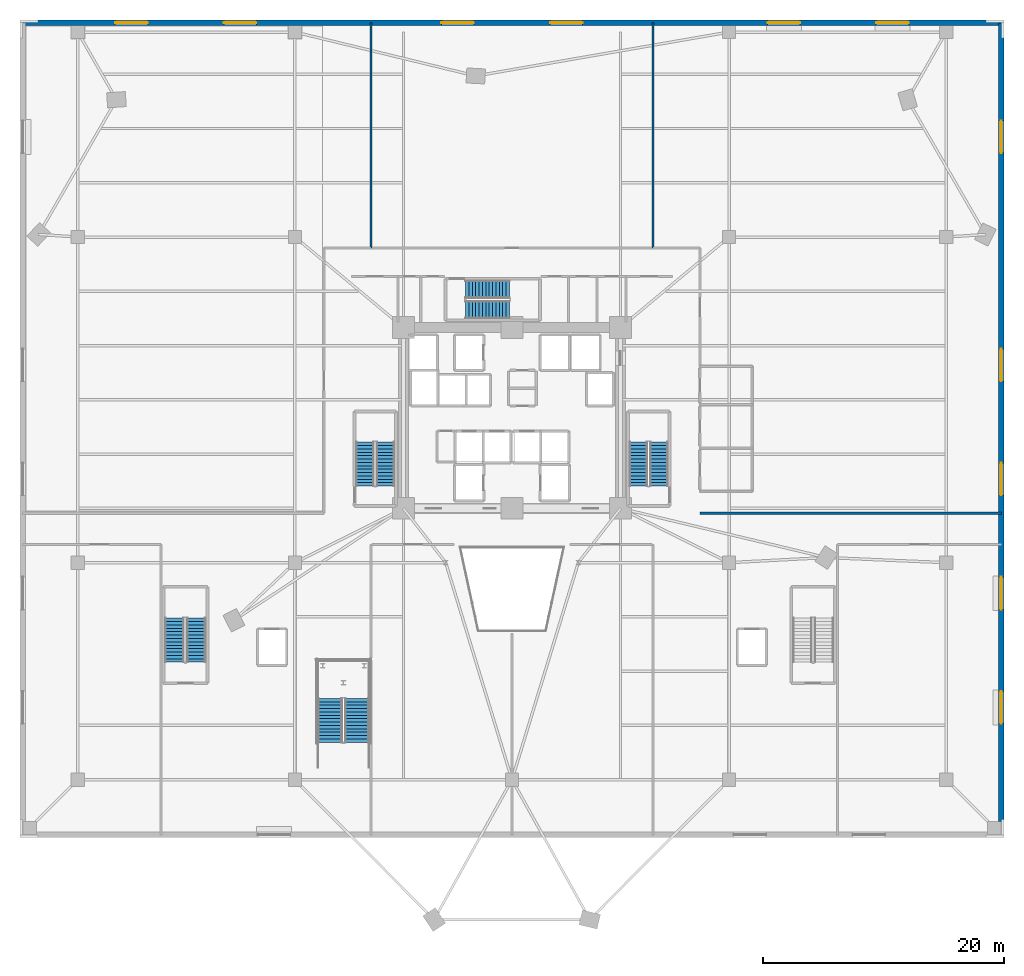
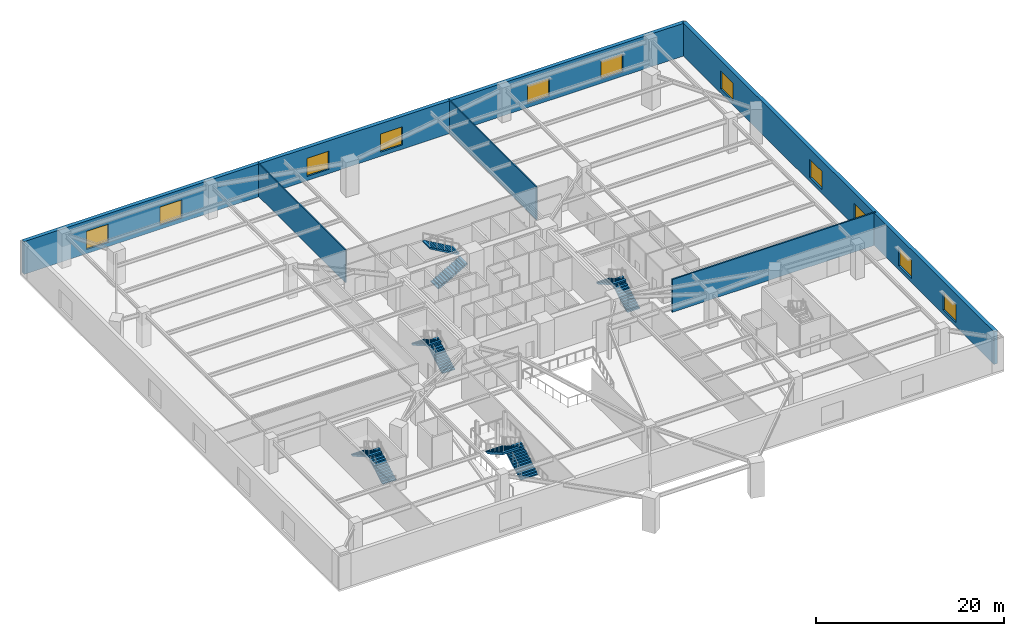
# One storey, part 9 of 16: 11 windows, 10 stair flights, 5 walls, 11 openings, 5 elements without a shape of their own.
"""IFC4 building model written with IfcOpenShell, lengths in metres."""

from ifc_helpers import new_model, si_unit, direction, frame, frame_2d, origin, place, context, subcontext, project, spatial, polyline, rectangle, outline, extrude, source, transform, mapped, material, layer, layer_set, type_object, element, fill, aggregate, save


model = new_model("IFC4")

# Units and contexts
model_context = context("Model", 3, precision=1e-05, world=origin(), true_north=direction((0.0, 1.0)))
body_context = subcontext(model_context, "Body", "Model", "MODEL_VIEW")
ifc_project = project(units=[si_unit("LENGTHUNIT", "METRE"), si_unit("AREAUNIT", "SQUARE_METRE"), si_unit("VOLUMEUNIT", "CUBIC_METRE"), si_unit("PLANEANGLEUNIT", "RADIAN"), si_unit("MASSUNIT", "GRAM", prefix="KILO")], contexts=[model_context])

# Site, building, storey
site_placement = place(None, origin())
site = spatial("IfcSite", under=ifc_project, at=site_placement, CompositionType="ELEMENT")
building_placement = place(site_placement, origin())
building = spatial("IfcBuilding", under=site, at=building_placement, Name="Liaohun Quay Tower", CompositionType="ELEMENT")
storey_placement = place(building_placement, frame((0.0, 0.0, 14.39990234375)))
storey = spatial("IfcBuildingStorey", under=building, at=storey_placement, Name="L04", CompositionType="ELEMENT", Elevation=14.39990234375)

# Wall, openings, windows
ifc_material_1 = material(Name="Precast concrete C50 with granite facing", Category="masonry")
ifc_layer_1 = layer(ifc_material_1, 0.4599609375, Name="Precast concrete C50 with granite facing", Category="masonry")
ifc_layer_set_1 = layer_set([ifc_layer_1], Name="Precast concrete C50 with granite facing")
wall_type_1 = type_object("IfcWallType", Name="WAL-EXT-POD", PredefinedType="SOLIDWALL", material=ifc_layer_set_1)
wall_1_placement = place(storey_placement, frame((100.570068359375, 20.5400390625, 0.0), z_axis=(0.0, 0.0, 1.0), x_axis=(0.0, 1.0, 0.0)))
wall_1 = element("IfcWall", 1, at=wall_1_placement, inside=storey, type_object=wall_type_1, Name="L04 Podium Precast Facade Wall 01", PredefinedType="SOLIDWALL", context=body_context, shape_type="SweptSolid", body=[
    extrude(rectangle(XDim=66.22998046875, YDim=0.4599609375, at=frame_2d((33.114990234375, 0.0))), origin(), (0.0, 0.0, 1.0), 4.25),
])
shared_shape_1 = source(origin(), body_context, "Body", "SweptSolid", [
    extrude(rectangle(XDim=2.699951171875, YDim=2.35009765625, at=frame_2d((1.35009765625, 1.175048828125))), frame((0.0, 0.239990234375, 0.0), z_axis=(0.0, -1.0, 0.0), x_axis=(1.0, 0.0, 0.0)), (0.0, 0.0, 1.0), 0.47998046875),
])
opening_1_placement = place(wall_1_placement, frame((8.111083984375, 0.0, 0.550048828125)))
opening_1 = element("IfcOpeningElement", 2, at=opening_1_placement, cuts=wall_1, Name="Opening W06", PredefinedType="OPENING", context=body_context, shape_type="MappedRepresentation", body=[
    mapped(shared_shape_1, transform((0.0, 0.0, 0.0), x_axis=(1.0, 0.0, 0.0), y_axis=(0.0, 1.0, 0.0), z_axis=(0.0, 0.0, 1.0), scale=1.0)),
])
opening_2_placement = place(wall_1_placement, frame((17.572998046875, 0.0, 0.550048828125)))
opening_2 = element("IfcOpeningElement", 3, at=opening_2_placement, cuts=wall_1, Name="Opening W06", PredefinedType="OPENING", context=body_context, shape_type="MappedRepresentation", body=[
    mapped(shared_shape_1, transform((0.0, 0.0, 0.0), x_axis=(1.0, 0.0, 0.0), y_axis=(0.0, 1.0, 0.0), z_axis=(0.0, 0.0, 1.0), scale=1.0)),
])
opening_3_placement = place(wall_1_placement, frame((27.033935546875, 0.0, 0.550048828125)))
opening_3 = element("IfcOpeningElement", 4, at=opening_3_placement, cuts=wall_1, Name="Opening W06", PredefinedType="OPENING", context=body_context, shape_type="MappedRepresentation", body=[
    mapped(shared_shape_1, transform((0.0, 0.0, 0.0), x_axis=(1.0, 0.0, 0.0), y_axis=(0.0, 1.0, 0.0), z_axis=(0.0, 0.0, 1.0), scale=1.0)),
])
opening_4_placement = place(wall_1_placement, frame((36.49609375, 0.0, 0.550048828125)))
opening_4 = element("IfcOpeningElement", 5, at=opening_4_placement, cuts=wall_1, Name="Opening W06", PredefinedType="OPENING", context=body_context, shape_type="MappedRepresentation", body=[
    mapped(shared_shape_1, transform((0.0, 0.0, 0.0), x_axis=(1.0, 0.0, 0.0), y_axis=(0.0, 1.0, 0.0), z_axis=(0.0, 0.0, 1.0), scale=1.0)),
])
opening_5_placement = place(wall_1_placement, frame((55.4189453125, 0.0, 0.550048828125)))
opening_5 = element("IfcOpeningElement", 6, at=opening_5_placement, cuts=wall_1, Name="Opening W06", PredefinedType="OPENING", context=body_context, shape_type="MappedRepresentation", body=[
    mapped(shared_shape_1, transform((0.0, 0.0, 0.0), x_axis=(1.0, 0.0, 0.0), y_axis=(0.0, 1.0, 0.0), z_axis=(0.0, 0.0, 1.0), scale=1.0)),
])
ifc_material_2 = material(Name="Triple Low-E waterfront podium glazing", Category="glass")
window_type = type_object("IfcWindowType", Name="WIN-POD-ARC", PartitioningType="TRIPLE_PANEL_VERTICAL", PredefinedType="WINDOW", material=ifc_material_2)
shared_shape_2 = source(origin(), body_context, "Body", "SweptSolid", [
    extrude(rectangle(XDim=2.699951171875, YDim=2.35009765625, at=frame_2d((1.35009765625, 1.175048828125))), frame((0.0, 0.030029296875, 0.0), z_axis=(0.0, -1.0, 0.0), x_axis=(1.0, 0.0, 0.0)), (0.0, 0.0, 1.0), 0.06005859375),
])
window_1_placement = place(opening_1_placement, origin())
window_1 = element("IfcWindow", 7, at=window_1_placement, inside=storey, type_object=window_type, Name="L04 Podium Punched Window W06-01-01", OverallHeight=2.35009765625, OverallWidth=2.699951171875, PartitioningType="TRIPLE_PANEL_VERTICAL", PredefinedType="WINDOW", context=body_context, shape_type="MappedRepresentation", body=[
    mapped(shared_shape_2, transform((0.0, 0.0, 0.0), x_axis=(1.0, 0.0, 0.0), y_axis=(0.0, 1.0, 0.0), z_axis=(0.0, 0.0, 1.0), scale=1.0)),
])
fill(opening_1, window_1)
window_2_placement = place(opening_2_placement, origin())
window_2 = element("IfcWindow", 8, at=window_2_placement, inside=storey, type_object=window_type, Name="L04 Podium Punched Window W06-01-02", OverallHeight=2.35009765625, OverallWidth=2.699951171875, PartitioningType="TRIPLE_PANEL_VERTICAL", PredefinedType="WINDOW", context=body_context, shape_type="MappedRepresentation", body=[
    mapped(shared_shape_2, transform((0.0, 0.0, 0.0), x_axis=(1.0, 0.0, 0.0), y_axis=(0.0, 1.0, 0.0), z_axis=(0.0, 0.0, 1.0), scale=1.0)),
])
fill(opening_2, window_2)
window_3_placement = place(opening_3_placement, origin())
window_3 = element("IfcWindow", 9, at=window_3_placement, inside=storey, type_object=window_type, Name="L04 Podium Punched Window W06-01-03", OverallHeight=2.35009765625, OverallWidth=2.699951171875, PartitioningType="TRIPLE_PANEL_VERTICAL", PredefinedType="WINDOW", context=body_context, shape_type="MappedRepresentation", body=[
    mapped(shared_shape_2, transform((0.0, 0.0, 0.0), x_axis=(1.0, 0.0, 0.0), y_axis=(0.0, 1.0, 0.0), z_axis=(0.0, 0.0, 1.0), scale=1.0)),
])
fill(opening_3, window_3)
window_4_placement = place(opening_4_placement, origin())
window_4 = element("IfcWindow", 10, at=window_4_placement, inside=storey, type_object=window_type, Name="L04 Podium Punched Window W06-01-04", OverallHeight=2.35009765625, OverallWidth=2.699951171875, PartitioningType="TRIPLE_PANEL_VERTICAL", PredefinedType="WINDOW", context=body_context, shape_type="MappedRepresentation", body=[
    mapped(shared_shape_2, transform((0.0, 0.0, 0.0), x_axis=(1.0, 0.0, 0.0), y_axis=(0.0, 1.0, 0.0), z_axis=(0.0, 0.0, 1.0), scale=1.0)),
])
fill(opening_4, window_4)
window_5_placement = place(opening_5_placement, origin())
window_5 = element("IfcWindow", 11, at=window_5_placement, inside=storey, type_object=window_type, Name="L04 Podium Punched Window W06-01-06", OverallHeight=2.35009765625, OverallWidth=2.699951171875, PartitioningType="TRIPLE_PANEL_VERTICAL", PredefinedType="WINDOW", context=body_context, shape_type="MappedRepresentation", body=[
    mapped(shared_shape_2, transform((0.0, 0.0, 0.0), x_axis=(1.0, 0.0, 0.0), y_axis=(0.0, 1.0, 0.0), z_axis=(0.0, 0.0, 1.0), scale=1.0)),
])
fill(opening_5, window_5)

wall_2_placement = place(storey_placement, frame((100.570068359375, 86.77001953125, 0.0), z_axis=(0.0, 0.0, 1.0), x_axis=(-1.0, 0.0, 0.0)))
wall_2 = element("IfcWall", 12, at=wall_2_placement, inside=storey, type_object=wall_type_1, Name="L04 Podium Precast Facade Wall 02", PredefinedType="SOLIDWALL", context=body_context, shape_type="SweptSolid", body=[
    extrude(rectangle(XDim=81.14013671875, YDim=0.4599609375, at=frame_2d((40.570068359375, 0.0))), origin(), (0.0, 0.0, 1.0), 4.25),
])
opening_6_placement = place(wall_2_placement, frame((7.666015625, 0.0, 0.550048828125)))
opening_6 = element("IfcOpeningElement", 13, at=opening_6_placement, cuts=wall_2, Name="Opening W06", PredefinedType="OPENING", context=body_context, shape_type="MappedRepresentation", body=[
    mapped(shared_shape_1, transform((0.0, 0.0, 0.0), x_axis=(1.0, 0.0, 0.0), y_axis=(0.0, 1.0, 0.0), z_axis=(0.0, 0.0, 1.0), scale=1.0)),
])
opening_7_placement = place(wall_2_placement, frame((16.680908203125, 0.0, 0.550048828125)))
opening_7 = element("IfcOpeningElement", 14, at=opening_7_placement, cuts=wall_2, Name="Opening W06", PredefinedType="OPENING", context=body_context, shape_type="MappedRepresentation", body=[
    mapped(shared_shape_1, transform((0.0, 0.0, 0.0), x_axis=(1.0, 0.0, 0.0), y_axis=(0.0, 1.0, 0.0), z_axis=(0.0, 0.0, 1.0), scale=1.0)),
])
opening_8_placement = place(wall_2_placement, frame((34.7119140625, 0.0, 0.550048828125)))
opening_8 = element("IfcOpeningElement", 15, at=opening_8_placement, cuts=wall_2, Name="Opening W06", PredefinedType="OPENING", context=body_context, shape_type="MappedRepresentation", body=[
    mapped(shared_shape_1, transform((0.0, 0.0, 0.0), x_axis=(1.0, 0.0, 0.0), y_axis=(0.0, 1.0, 0.0), z_axis=(0.0, 0.0, 1.0), scale=1.0)),
])
opening_9_placement = place(wall_2_placement, frame((43.72802734375, 0.0, 0.550048828125)))
opening_9 = element("IfcOpeningElement", 16, at=opening_9_placement, cuts=wall_2, Name="Opening W06", PredefinedType="OPENING", context=body_context, shape_type="MappedRepresentation", body=[
    mapped(shared_shape_1, transform((0.0, 0.0, 0.0), x_axis=(1.0, 0.0, 0.0), y_axis=(0.0, 1.0, 0.0), z_axis=(0.0, 0.0, 1.0), scale=1.0)),
])
opening_10_placement = place(wall_2_placement, frame((61.759033203125, 0.0, 0.550048828125)))
opening_10 = element("IfcOpeningElement", 17, at=opening_10_placement, cuts=wall_2, Name="Opening W06", PredefinedType="OPENING", context=body_context, shape_type="MappedRepresentation", body=[
    mapped(shared_shape_1, transform((0.0, 0.0, 0.0), x_axis=(1.0, 0.0, 0.0), y_axis=(0.0, 1.0, 0.0), z_axis=(0.0, 0.0, 1.0), scale=1.0)),
])
opening_11_placement = place(wall_2_placement, frame((70.77392578125, 0.0, 0.550048828125)))
opening_11 = element("IfcOpeningElement", 18, at=opening_11_placement, cuts=wall_2, Name="Opening W06", PredefinedType="OPENING", context=body_context, shape_type="MappedRepresentation", body=[
    mapped(shared_shape_1, transform((0.0, 0.0, 0.0), x_axis=(1.0, 0.0, 0.0), y_axis=(0.0, 1.0, 0.0), z_axis=(0.0, 0.0, 1.0), scale=1.0)),
])
window_6_placement = place(opening_6_placement, origin())
window_6 = element("IfcWindow", 19, at=window_6_placement, inside=storey, type_object=window_type, Name="L04 Podium Punched Window W06-02-01", OverallHeight=2.35009765625, OverallWidth=2.699951171875, PartitioningType="TRIPLE_PANEL_VERTICAL", PredefinedType="WINDOW", context=body_context, shape_type="MappedRepresentation", body=[
    mapped(shared_shape_2, transform((0.0, 0.0, 0.0), x_axis=(1.0, 0.0, 0.0), y_axis=(0.0, 1.0, 0.0), z_axis=(0.0, 0.0, 1.0), scale=1.0)),
])
fill(opening_6, window_6)
window_7_placement = place(opening_7_placement, origin())
window_7 = element("IfcWindow", 20, at=window_7_placement, inside=storey, type_object=window_type, Name="L04 Podium Punched Window W06-02-02", OverallHeight=2.35009765625, OverallWidth=2.699951171875, PartitioningType="TRIPLE_PANEL_VERTICAL", PredefinedType="WINDOW", context=body_context, shape_type="MappedRepresentation", body=[
    mapped(shared_shape_2, transform((0.0, 0.0, 0.0), x_axis=(1.0, 0.0, 0.0), y_axis=(0.0, 1.0, 0.0), z_axis=(0.0, 0.0, 1.0), scale=1.0)),
])
fill(opening_7, window_7)
window_8_placement = place(opening_8_placement, origin())
window_8 = element("IfcWindow", 21, at=window_8_placement, inside=storey, type_object=window_type, Name="L04 Podium Punched Window W06-02-04", OverallHeight=2.35009765625, OverallWidth=2.699951171875, PartitioningType="TRIPLE_PANEL_VERTICAL", PredefinedType="WINDOW", context=body_context, shape_type="MappedRepresentation", body=[
    mapped(shared_shape_2, transform((0.0, 0.0, 0.0), x_axis=(1.0, 0.0, 0.0), y_axis=(0.0, 1.0, 0.0), z_axis=(0.0, 0.0, 1.0), scale=1.0)),
])
fill(opening_8, window_8)
window_9_placement = place(opening_9_placement, origin())
window_9 = element("IfcWindow", 22, at=window_9_placement, inside=storey, type_object=window_type, Name="L04 Podium Punched Window W06-02-05", OverallHeight=2.35009765625, OverallWidth=2.699951171875, PartitioningType="TRIPLE_PANEL_VERTICAL", PredefinedType="WINDOW", context=body_context, shape_type="MappedRepresentation", body=[
    mapped(shared_shape_2, transform((0.0, 0.0, 0.0), x_axis=(1.0, 0.0, 0.0), y_axis=(0.0, 1.0, 0.0), z_axis=(0.0, 0.0, 1.0), scale=1.0)),
])
fill(opening_9, window_9)
window_10_placement = place(opening_10_placement, origin())
window_10 = element("IfcWindow", 23, at=window_10_placement, inside=storey, type_object=window_type, Name="L04 Podium Punched Window W06-02-07", OverallHeight=2.35009765625, OverallWidth=2.699951171875, PartitioningType="TRIPLE_PANEL_VERTICAL", PredefinedType="WINDOW", context=body_context, shape_type="MappedRepresentation", body=[
    mapped(shared_shape_2, transform((0.0, 0.0, 0.0), x_axis=(1.0, 0.0, 0.0), y_axis=(0.0, 1.0, 0.0), z_axis=(0.0, 0.0, 1.0), scale=1.0)),
])
fill(opening_10, window_10)
window_11_placement = place(opening_11_placement, origin())
window_11 = element("IfcWindow", 24, at=window_11_placement, inside=storey, type_object=window_type, Name="L04 Podium Punched Window W06-02-08", OverallHeight=2.35009765625, OverallWidth=2.699951171875, PartitioningType="TRIPLE_PANEL_VERTICAL", PredefinedType="WINDOW", context=body_context, shape_type="MappedRepresentation", body=[
    mapped(shared_shape_2, transform((0.0, 0.0, 0.0), x_axis=(1.0, 0.0, 0.0), y_axis=(0.0, 1.0, 0.0), z_axis=(0.0, 0.0, 1.0), scale=1.0)),
])
fill(opening_11, window_11)

# Walls
ifc_material_3 = material(Name="Autoclaved aerated concrete blockwork", Category="masonry")
ifc_layer_2 = layer(ifc_material_3, 0.179931640625, Name="Autoclaved aerated concrete blockwork", Category="masonry")
ifc_layer_set_2 = layer_set([ifc_layer_2], Name="Autoclaved aerated concrete blockwork")
wall_type_2 = type_object("IfcWallType", Name="WAL-PRT-COR", PredefinedType="PARTITIONING", material=ifc_layer_set_2)
wall_3_placement = place(storey_placement, frame((75.580078125, 46.10009765625, 0.0), z_axis=(0.0, 0.0, 1.0), x_axis=(1.0, 0.0, 0.0)))
element("IfcWall", 25, at=wall_3_placement, inside=storey, type_object=wall_type_2, Name="L04 Interior Partition Wall 032", PredefinedType="PARTITIONING", context=body_context, shape_type="SweptSolid", body=[
    extrude(rectangle(XDim=24.994873046875, YDim=0.179931640625, at=frame_2d((12.49755859375, 0.0))), origin(), (0.0, 0.0, 1.0), 4.25),
])
ifc_material_4 = material(Name="Gypsum board on twin steel studs", Category="steel")
ifc_layer_3 = layer(ifc_material_4, 0.139892578125, Name="Gypsum board on twin steel studs", Category="steel")
ifc_layer_set_3 = layer_set([ifc_layer_3], Name="Gypsum board on twin steel studs")
wall_type_3 = type_object("IfcWallType", Name="WAL-PRT-OFF", PredefinedType="PARTITIONING", material=ifc_layer_set_3)
for number, where, z_axis, x_axis, name in (
    (26, (48.300048828125, 68.10009765625, 0.0), (0.0, 0.0, 1.0), (0.0, 1.0, 0.0), "L04 Interior Partition Wall 040"),
    (27, (71.699951171875, 68.10009765625, 0.0), (0.0, 0.0, 1.0), (0.0, 1.0, 0.0), "L04 Interior Partition Wall 041"),
):
    element("IfcWall", number, at=place(storey_placement, frame(where, z_axis=z_axis, x_axis=x_axis)), inside=storey, type_object=wall_type_3, Name=name, PredefinedType="PARTITIONING", context=body_context, shape_type="SweptSolid", body=[
        extrude(rectangle(XDim=18.6748046875, YDim=0.139892578125, at=frame_2d((9.33740234375, 0.0))), origin(), (0.0, 0.0, 1.0), 4.25),
    ])

# Stair, stair flights
ifc_material_5 = material(Name="Precast concrete C50", Category="concrete")
stair_type_1 = type_object("IfcStairType", Name="STR-MON-ATR", PredefinedType="STRAIGHT_RUN_STAIR", material=ifc_material_5)
stair_1_placement = place(storey_placement, origin())
stair_1 = element("IfcStair", 28, at=stair_1_placement, inside=storey, type_object=stair_type_1, Name="L04 Monumental Atrium Feature Stair ST-A", PredefinedType="STRAIGHT_RUN_STAIR")
stair_flight_type_1 = type_object("IfcStairFlightType", Name="FLT-ATR-210", PredefinedType="STRAIGHT", material=ifc_material_5)
stair_flight_1_placement = place(storey_placement, frame((47.14990234375, 27.10009765625, 0.0), z_axis=(0.0, 0.0, 1.0), x_axis=(0.0, 1.0, 0.0)))
stair_flight_1 = element("IfcStairFlight", 29, at=stair_flight_1_placement, type_object=stair_flight_type_1, Name="ST-A flight 1", NumberOfRisers=14, NumberOfTreads=13, PredefinedType="STRAIGHT", RiserHeight=0.160714286, TreadLength=0.28, context=body_context, shape_type="SweptSolid", body=[
    extrude(outline(polyline([(0.0, 0.0), (0.0, 0.16064453125), (0.280029296875, 0.16064453125), (0.280029296875, 0.321533203125), (0.56005859375, 0.321533203125), (0.56005859375, 0.482177734375), (0.840087890625, 0.482177734375), (0.840087890625, 0.642822265625), (1.1201171875, 0.642822265625), (1.1201171875, 0.803466796875), (1.39990234375, 0.803466796875), (1.39990234375, 0.96435546875), (1.679931640625, 0.96435546875), (1.679931640625, 1.125), (1.9599609375, 1.125), (1.9599609375, 1.28564453125), (2.239990234375, 1.28564453125), (2.239990234375, 1.446533203125), (2.52001953125, 1.446533203125), (2.52001953125, 1.607177734375), (2.800048828125, 1.607177734375), (2.800048828125, 1.767822265625), (3.080078125, 1.767822265625), (3.080078125, 1.928466796875), (3.360107421875, 1.928466796875), (3.360107421875, 2.08935546875), (3.639892578125, 2.08935546875), (3.639892578125, 2.25), (3.639892578125, 1.835693359375), (0.44189453125, 0.0), (0.0, 0.0)])), frame((0.0, 1.050048828125, 0.0), z_axis=(0.0, -1.0, 0.0), x_axis=(1.0, 0.0, 0.0)), (0.0, 0.0, 1.0), 2.10009765625),
])
stair_flight_2_placement = place(storey_placement, frame((44.909912109375, 30.739990234375, 2.25), z_axis=(0.0, 0.0, 1.0), x_axis=(0.0, -1.0, 0.0)))
stair_flight_2 = element("IfcStairFlight", 30, at=stair_flight_2_placement, type_object=stair_flight_type_1, Name="ST-A flight 2", NumberOfRisers=14, NumberOfTreads=13, PredefinedType="STRAIGHT", RiserHeight=0.160714286, TreadLength=0.28, context=body_context, shape_type="SweptSolid", body=[
    extrude(outline(polyline([(0.0, 0.0), (0.0, 0.16064453125), (0.280029296875, 0.16064453125), (0.280029296875, 0.321533203125), (0.56005859375, 0.321533203125), (0.56005859375, 0.482177734375), (0.840087890625, 0.482177734375), (0.840087890625, 0.642822265625), (1.1201171875, 0.642822265625), (1.1201171875, 0.803466796875), (1.39990234375, 0.803466796875), (1.39990234375, 0.96435546875), (1.679931640625, 0.96435546875), (1.679931640625, 1.125), (1.9599609375, 1.125), (1.9599609375, 1.28564453125), (2.239990234375, 1.28564453125), (2.239990234375, 1.446533203125), (2.52001953125, 1.446533203125), (2.52001953125, 1.607177734375), (2.800048828125, 1.607177734375), (2.800048828125, 1.767822265625), (3.080078125, 1.767822265625), (3.080078125, 1.928466796875), (3.360107421875, 1.928466796875), (3.360107421875, 2.08935546875), (3.639892578125, 2.08935546875), (3.639892578125, 2.25), (3.639892578125, 1.835693359375), (0.44189453125, 0.0), (0.0, 0.0)])), frame((0.0, 1.050048828125, 0.0), z_axis=(0.0, -1.0, 0.0), x_axis=(1.0, 0.0, 0.0)), (0.0, 0.0, 1.0), 2.10009765625),
])
aggregate(stair_1, [stair_flight_1, stair_flight_2])

ifc_material_6 = material(Name="Concrete C45", Category="concrete")
stair_type_2 = type_object("IfcStairType", Name="STR-CORE-TALL", PredefinedType="HALF_TURN_STAIR", material=ifc_material_6)
stair_2_placement = place(storey_placement, origin())
stair_2 = element("IfcStair", 31, at=stair_2_placement, inside=storey, type_object=stair_type_2, Name="L04 Smokeproof Core Exit Stair ST-1", PredefinedType="HALF_TURN_STAIR")
stair_flight_type_2 = type_object("IfcStairFlightType", Name="FLT-CORE-155", PredefinedType="STRAIGHT", material=ifc_material_6)
stair_flight_3_placement = place(storey_placement, frame((49.5048828125, 48.35009765625, 0.0), z_axis=(0.0, 0.0, 1.0), x_axis=(0.0, 1.0, 0.0)))
stair_flight_3 = element("IfcStairFlight", 32, at=stair_flight_3_placement, type_object=stair_flight_type_2, Name="ST-1 flight 1", NumberOfRisers=14, NumberOfTreads=13, PredefinedType="STRAIGHT", RiserHeight=0.160714286, TreadLength=0.28, context=body_context, shape_type="SweptSolid", body=[
    extrude(outline(polyline([(0.0, 0.0), (0.0, 0.16064453125), (0.280029296875, 0.16064453125), (0.280029296875, 0.321533203125), (0.56005859375, 0.321533203125), (0.56005859375, 0.482177734375), (0.840087890625, 0.482177734375), (0.840087890625, 0.642822265625), (1.1201171875, 0.642822265625), (1.1201171875, 0.803466796875), (1.39990234375, 0.803466796875), (1.39990234375, 0.96435546875), (1.679931640625, 0.96435546875), (1.679931640625, 1.125), (1.9599609375, 1.125), (1.9599609375, 1.28564453125), (2.239990234375, 1.28564453125), (2.239990234375, 1.446533203125), (2.52001953125, 1.446533203125), (2.52001953125, 1.607177734375), (2.800048828125, 1.607177734375), (2.800048828125, 1.767822265625), (3.080078125, 1.767822265625), (3.080078125, 1.928466796875), (3.360107421875, 1.928466796875), (3.360107421875, 2.08935546875), (3.639892578125, 2.08935546875), (3.639892578125, 2.25), (3.639892578125, 1.91650390625), (0.301025390625, 0.0), (0.0, 0.0)])), frame((0.0, 0.77490234375, 0.0), z_axis=(0.0, -1.0, 0.0), x_axis=(1.0, 0.0, 0.0)), (0.0, 0.0, 1.0), 1.550048828125),
])
stair_flight_4_placement = place(storey_placement, frame((47.81494140625, 51.989990234375, 2.25), z_axis=(0.0, 0.0, 1.0), x_axis=(0.0, -1.0, 0.0)))
stair_flight_4 = element("IfcStairFlight", 33, at=stair_flight_4_placement, type_object=stair_flight_type_2, Name="ST-1 flight 2", NumberOfRisers=14, NumberOfTreads=13, PredefinedType="STRAIGHT", RiserHeight=0.160714286, TreadLength=0.28, context=body_context, shape_type="SweptSolid", body=[
    extrude(outline(polyline([(0.0, 0.0), (0.0, 0.16064453125), (0.280029296875, 0.16064453125), (0.280029296875, 0.321533203125), (0.56005859375, 0.321533203125), (0.56005859375, 0.482177734375), (0.840087890625, 0.482177734375), (0.840087890625, 0.642822265625), (1.1201171875, 0.642822265625), (1.1201171875, 0.803466796875), (1.39990234375, 0.803466796875), (1.39990234375, 0.96435546875), (1.679931640625, 0.96435546875), (1.679931640625, 1.125), (1.9599609375, 1.125), (1.9599609375, 1.28564453125), (2.239990234375, 1.28564453125), (2.239990234375, 1.446533203125), (2.52001953125, 1.446533203125), (2.52001953125, 1.607177734375), (2.800048828125, 1.607177734375), (2.800048828125, 1.767822265625), (3.080078125, 1.767822265625), (3.080078125, 1.928466796875), (3.360107421875, 1.928466796875), (3.360107421875, 2.08935546875), (3.639892578125, 2.08935546875), (3.639892578125, 2.25), (3.639892578125, 1.91650390625), (0.301025390625, 0.0), (0.0, 0.0)])), frame((0.0, 0.77490234375, 0.0), z_axis=(0.0, -1.0, 0.0), x_axis=(1.0, 0.0, 0.0)), (0.0, 0.0, 1.0), 1.550048828125),
])
aggregate(stair_2, [stair_flight_3, stair_flight_4])

stair_3_placement = place(storey_placement, origin())
stair_3 = element("IfcStair", 34, at=stair_3_placement, inside=storey, type_object=stair_type_2, Name="L04 Smokeproof Core Exit Stair ST-2", PredefinedType="HALF_TURN_STAIR")
stair_flight_5_placement = place(storey_placement, frame((72.18505859375, 48.35009765625, 0.0), z_axis=(0.0, 0.0, 1.0), x_axis=(0.0, 1.0, 0.0)))
stair_flight_5 = element("IfcStairFlight", 35, at=stair_flight_5_placement, type_object=stair_flight_type_2, Name="ST-2 flight 1", NumberOfRisers=14, NumberOfTreads=13, PredefinedType="STRAIGHT", RiserHeight=0.160714286, TreadLength=0.28, context=body_context, shape_type="SweptSolid", body=[
    extrude(outline(polyline([(0.0, 0.0), (0.0, 0.16064453125), (0.280029296875, 0.16064453125), (0.280029296875, 0.321533203125), (0.56005859375, 0.321533203125), (0.56005859375, 0.482177734375), (0.840087890625, 0.482177734375), (0.840087890625, 0.642822265625), (1.1201171875, 0.642822265625), (1.1201171875, 0.803466796875), (1.39990234375, 0.803466796875), (1.39990234375, 0.96435546875), (1.679931640625, 0.96435546875), (1.679931640625, 1.125), (1.9599609375, 1.125), (1.9599609375, 1.28564453125), (2.239990234375, 1.28564453125), (2.239990234375, 1.446533203125), (2.52001953125, 1.446533203125), (2.52001953125, 1.607177734375), (2.800048828125, 1.607177734375), (2.800048828125, 1.767822265625), (3.080078125, 1.767822265625), (3.080078125, 1.928466796875), (3.360107421875, 1.928466796875), (3.360107421875, 2.08935546875), (3.639892578125, 2.08935546875), (3.639892578125, 2.25), (3.639892578125, 1.91650390625), (0.301025390625, 0.0), (0.0, 0.0)])), frame((0.0, 0.77490234375, 0.0), z_axis=(0.0, -1.0, 0.0), x_axis=(1.0, 0.0, 0.0)), (0.0, 0.0, 1.0), 1.550048828125),
])
stair_flight_6_placement = place(storey_placement, frame((70.4951171875, 51.989990234375, 2.25), z_axis=(0.0, 0.0, 1.0), x_axis=(0.0, -1.0, 0.0)))
stair_flight_6 = element("IfcStairFlight", 36, at=stair_flight_6_placement, type_object=stair_flight_type_2, Name="ST-2 flight 2", NumberOfRisers=14, NumberOfTreads=13, PredefinedType="STRAIGHT", RiserHeight=0.160714286, TreadLength=0.28, context=body_context, shape_type="SweptSolid", body=[
    extrude(outline(polyline([(0.0, 0.0), (0.0, 0.16064453125), (0.280029296875, 0.16064453125), (0.280029296875, 0.321533203125), (0.56005859375, 0.321533203125), (0.56005859375, 0.482177734375), (0.840087890625, 0.482177734375), (0.840087890625, 0.642822265625), (1.1201171875, 0.642822265625), (1.1201171875, 0.803466796875), (1.39990234375, 0.803466796875), (1.39990234375, 0.96435546875), (1.679931640625, 0.96435546875), (1.679931640625, 1.125), (1.9599609375, 1.125), (1.9599609375, 1.28564453125), (2.239990234375, 1.28564453125), (2.239990234375, 1.446533203125), (2.52001953125, 1.446533203125), (2.52001953125, 1.607177734375), (2.800048828125, 1.607177734375), (2.800048828125, 1.767822265625), (3.080078125, 1.767822265625), (3.080078125, 1.928466796875), (3.360107421875, 1.928466796875), (3.360107421875, 2.08935546875), (3.639892578125, 2.08935546875), (3.639892578125, 2.25), (3.639892578125, 1.91650390625), (0.301025390625, 0.0), (0.0, 0.0)])), frame((0.0, 0.77490234375, 0.0), z_axis=(0.0, -1.0, 0.0), x_axis=(1.0, 0.0, 0.0)), (0.0, 0.0, 1.0), 1.550048828125),
])
aggregate(stair_3, [stair_flight_5, stair_flight_6])

stair_4_placement = place(storey_placement, origin())
stair_4 = element("IfcStair", 37, at=stair_4_placement, inside=storey, type_object=stair_type_2, Name="L04 Smokeproof Core Exit Stair ST-3", PredefinedType="HALF_TURN_STAIR")
stair_flight_7_placement = place(storey_placement, frame((56.14990234375, 62.97509765625, 0.0), z_axis=(0.0, 0.0, 1.0), x_axis=(1.0, 0.0, 0.0)))
stair_flight_7 = element("IfcStairFlight", 38, at=stair_flight_7_placement, type_object=stair_flight_type_2, Name="ST-3 flight 1", NumberOfRisers=14, NumberOfTreads=13, PredefinedType="STRAIGHT", RiserHeight=0.160714286, TreadLength=0.28, context=body_context, shape_type="SweptSolid", body=[
    extrude(outline(polyline([(0.0, 0.0), (0.0, 0.16064453125), (0.280029296875, 0.16064453125), (0.280029296875, 0.321533203125), (0.56005859375, 0.321533203125), (0.56005859375, 0.482177734375), (0.840087890625, 0.482177734375), (0.840087890625, 0.642822265625), (1.1201171875, 0.642822265625), (1.1201171875, 0.803466796875), (1.39990234375, 0.803466796875), (1.39990234375, 0.96435546875), (1.679931640625, 0.96435546875), (1.679931640625, 1.125), (1.9599609375, 1.125), (1.9599609375, 1.28564453125), (2.239990234375, 1.28564453125), (2.239990234375, 1.446533203125), (2.52001953125, 1.446533203125), (2.52001953125, 1.607177734375), (2.800048828125, 1.607177734375), (2.800048828125, 1.767822265625), (3.080078125, 1.767822265625), (3.080078125, 1.928466796875), (3.360107421875, 1.928466796875), (3.360107421875, 2.08935546875), (3.639892578125, 2.08935546875), (3.639892578125, 2.25), (3.639892578125, 1.91650390625), (0.301025390625, 0.0), (0.0, 0.0)])), frame((0.0, 0.77490234375, 0.0), z_axis=(0.0, -1.0, 0.0), x_axis=(1.0, 0.0, 0.0)), (0.0, 0.0, 1.0), 1.550048828125),
])
stair_flight_8_placement = place(storey_placement, frame((59.7900390625, 64.6650390625, 2.25), z_axis=(0.0, 0.0, 1.0), x_axis=(-1.0, 0.0, 0.0)))
stair_flight_8 = element("IfcStairFlight", 39, at=stair_flight_8_placement, type_object=stair_flight_type_2, Name="ST-3 flight 2", NumberOfRisers=14, NumberOfTreads=13, PredefinedType="STRAIGHT", RiserHeight=0.160714286, TreadLength=0.28, context=body_context, shape_type="SweptSolid", body=[
    extrude(outline(polyline([(0.0, 0.0), (0.0, 0.16064453125), (0.280029296875, 0.16064453125), (0.280029296875, 0.321533203125), (0.56005859375, 0.321533203125), (0.56005859375, 0.482177734375), (0.840087890625, 0.482177734375), (0.840087890625, 0.642822265625), (1.1201171875, 0.642822265625), (1.1201171875, 0.803466796875), (1.39990234375, 0.803466796875), (1.39990234375, 0.96435546875), (1.679931640625, 0.96435546875), (1.679931640625, 1.125), (1.9599609375, 1.125), (1.9599609375, 1.28564453125), (2.239990234375, 1.28564453125), (2.239990234375, 1.446533203125), (2.52001953125, 1.446533203125), (2.52001953125, 1.607177734375), (2.800048828125, 1.607177734375), (2.800048828125, 1.767822265625), (3.080078125, 1.767822265625), (3.080078125, 1.928466796875), (3.360107421875, 1.928466796875), (3.360107421875, 2.08935546875), (3.639892578125, 2.08935546875), (3.639892578125, 2.25), (3.639892578125, 1.91650390625), (0.301025390625, 0.0), (0.0, 0.0)])), frame((0.0, 0.77490234375, 0.0), z_axis=(0.0, -1.0, 0.0), x_axis=(1.0, 0.0, 0.0)), (0.0, 0.0, 1.0), 1.550048828125),
])
aggregate(stair_4, [stair_flight_7, stair_flight_8])

stair_type_3 = type_object("IfcStairType", Name="STR-POD-EXIT", PredefinedType="TWO_STRAIGHT_RUN_STAIR", material=ifc_material_6)
stair_5_placement = place(storey_placement, origin())
stair_5 = element("IfcStair", 40, at=stair_5_placement, inside=storey, type_object=stair_type_3, Name="L04 Podium Smokeproof Exit Stair ST-P1", PredefinedType="TWO_STRAIGHT_RUN_STAIR")
stair_flight_type_3 = type_object("IfcStairFlightType", Name="FLT-POD-165", PredefinedType="STRAIGHT", material=ifc_material_6)
stair_flight_9_placement = place(storey_placement, frame((33.81494140625, 33.75, 0.0), z_axis=(0.0, 0.0, 1.0), x_axis=(0.0, 1.0, 0.0)))
stair_flight_9 = element("IfcStairFlight", 41, at=stair_flight_9_placement, type_object=stair_flight_type_3, Name="ST-P1 flight 1", NumberOfRisers=14, NumberOfTreads=13, PredefinedType="STRAIGHT", RiserHeight=0.160714286, TreadLength=0.28, context=body_context, shape_type="SweptSolid", body=[
    extrude(outline(polyline([(0.0, 0.0), (0.0, 0.16064453125), (0.280029296875, 0.16064453125), (0.280029296875, 0.321533203125), (0.56005859375, 0.321533203125), (0.56005859375, 0.482177734375), (0.840087890625, 0.482177734375), (0.840087890625, 0.642822265625), (1.1201171875, 0.642822265625), (1.1201171875, 0.803466796875), (1.39990234375, 0.803466796875), (1.39990234375, 0.96435546875), (1.679931640625, 0.96435546875), (1.679931640625, 1.125), (1.9599609375, 1.125), (1.9599609375, 1.28564453125), (2.239990234375, 1.28564453125), (2.239990234375, 1.446533203125), (2.52001953125, 1.446533203125), (2.52001953125, 1.607177734375), (2.800048828125, 1.607177734375), (2.800048828125, 1.767822265625), (3.080078125, 1.767822265625), (3.080078125, 1.928466796875), (3.360107421875, 1.928466796875), (3.360107421875, 2.08935546875), (3.639892578125, 2.08935546875), (3.639892578125, 2.25), (3.639892578125, 1.91650390625), (0.301025390625, 0.0), (0.0, 0.0)])), frame((0.0, 0.824951171875, 0.0), z_axis=(0.0, -1.0, 0.0), x_axis=(1.0, 0.0, 0.0)), (0.0, 0.0, 1.0), 1.64990234375),
])
stair_flight_10_placement = place(storey_placement, frame((32.02490234375, 37.389892578125, 2.25), z_axis=(0.0, 0.0, 1.0), x_axis=(0.0, -1.0, 0.0)))
stair_flight_10 = element("IfcStairFlight", 42, at=stair_flight_10_placement, type_object=stair_flight_type_3, Name="ST-P1 flight 2", NumberOfRisers=14, NumberOfTreads=13, PredefinedType="STRAIGHT", RiserHeight=0.160714286, TreadLength=0.28, context=body_context, shape_type="SweptSolid", body=[
    extrude(outline(polyline([(0.0, 0.0), (0.0, 0.16064453125), (0.280029296875, 0.16064453125), (0.280029296875, 0.321533203125), (0.56005859375, 0.321533203125), (0.56005859375, 0.482177734375), (0.840087890625, 0.482177734375), (0.840087890625, 0.642822265625), (1.1201171875, 0.642822265625), (1.1201171875, 0.803466796875), (1.39990234375, 0.803466796875), (1.39990234375, 0.96435546875), (1.679931640625, 0.96435546875), (1.679931640625, 1.125), (1.9599609375, 1.125), (1.9599609375, 1.28564453125), (2.239990234375, 1.28564453125), (2.239990234375, 1.446533203125), (2.52001953125, 1.446533203125), (2.52001953125, 1.607177734375), (2.800048828125, 1.607177734375), (2.800048828125, 1.767822265625), (3.080078125, 1.767822265625), (3.080078125, 1.928466796875), (3.360107421875, 1.928466796875), (3.360107421875, 2.08935546875), (3.639892578125, 2.08935546875), (3.639892578125, 2.25), (3.639892578125, 1.91650390625), (0.301025390625, 0.0), (0.0, 0.0)])), frame((0.0, 0.824951171875, 0.0), z_axis=(0.0, -1.0, 0.0), x_axis=(1.0, 0.0, 0.0)), (0.0, 0.0, 1.0), 1.64990234375),
])
aggregate(stair_5, [stair_flight_9, stair_flight_10])

save(model, "model.ifc")
